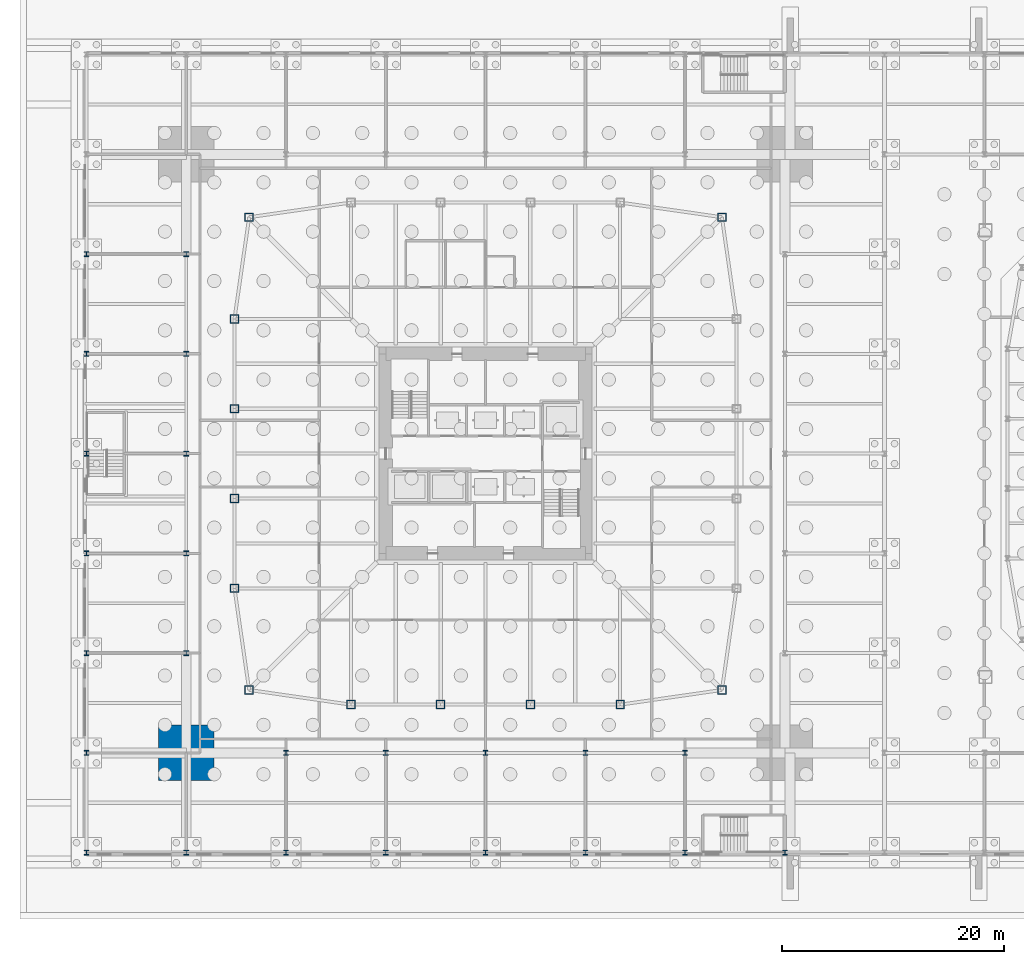
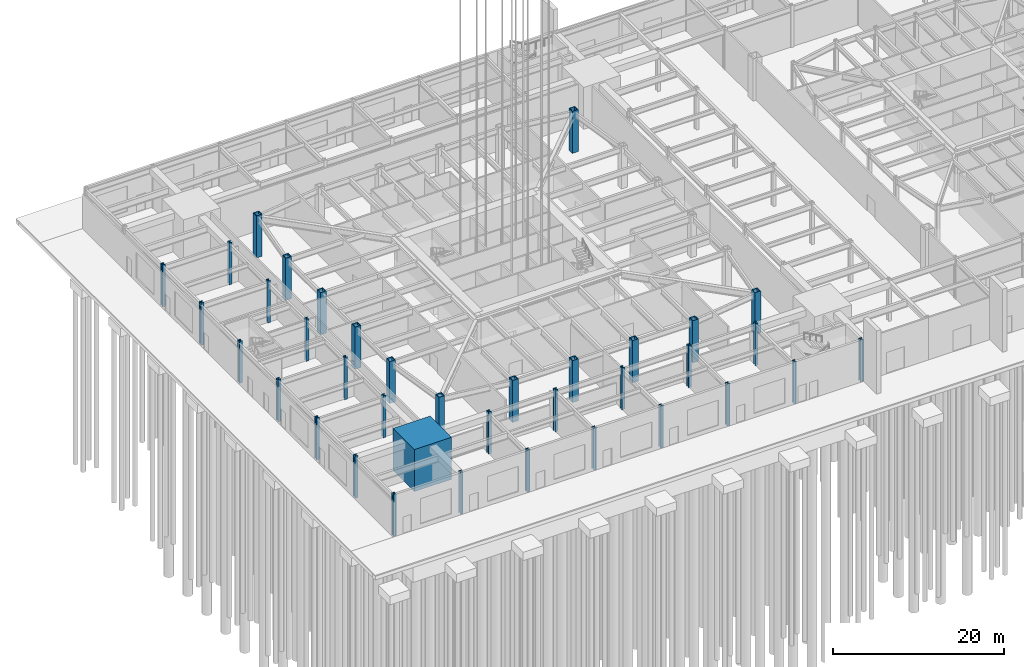
# One storey, part 5 of 37: 37 columns.
"""IFC4 building model written with IfcOpenShell, lengths in metres."""

import ifcopenshell
import ifcopenshell.guid

model = None  # the IFC model being written
_history = None  # IfcOwnerHistory: only IFC2X3 demands one
_inside = {}  # id of a spatial element -> (the spatial element, [elements in it])
_under = {}  # id of a project, library or spatial element -> (it, [spatial elements below it])
_declared = {}  # id of a project -> (the project, [libraries it declares])
_typed = {}  # id of a type object -> (the type object, [elements of that type])
_made_of = {}  # id of a material, layer set ... -> (it, [elements and type objects made of it])


def new_model(schema):
    """Start an empty IFC model of exactly this schema.

    Asked for "IFC4X3", IfcOpenShell would pick the latest addendum, in which some entities
    have other attributes; the version numbers below select the first issue.
    IFC2X3 requires an IfcOwnerHistory on every rooted entity: one is made here for all.
    """
    global model, _history
    if schema == "IFC4X3":
        model = ifcopenshell.file(schema_version=(4, 3, 0, 0))
    else:
        model = ifcopenshell.file(schema=schema)
    _inside.clear()
    _under.clear()
    _declared.clear()
    _typed.clear()
    _made_of.clear()
    _history = None
    if model.schema == "IFC2X3":
        org = make("IfcOrganization", Name="unknown")
        user = make(
            "IfcPersonAndOrganization",
            ThePerson=make("IfcPerson", FamilyName="unknown"),
            TheOrganization=org,
        )
        app = make(
            "IfcApplication",
            ApplicationDeveloper=org,
            Version="unknown",
            ApplicationFullName="unknown",
            ApplicationIdentifier="unknown",
        )
        _history = make(
            "IfcOwnerHistory",
            OwningUser=user,
            OwningApplication=app,
            ChangeAction="ADDED",
            CreationDate=0,
        )
    return model


def make(cls, **values):
    """One entity of the class cls with the attributes given. An attribute that is None is left unset."""
    return model.create_entity(
        cls, **{name: value for name, value in values.items() if value is not None}
    )


def rooted(cls, **values):
    """An entity with a GlobalId (a new one), such as an element, a storey or a relation."""
    return make(cls, GlobalId=ifcopenshell.guid.new(), OwnerHistory=_history, **values)


def si_unit(unit_type, name, prefix=None):
    """IfcSIUnit, for example si_unit("LENGTHUNIT", "METRE", prefix="MILLI")."""
    return make("IfcSIUnit", UnitType=unit_type, Prefix=prefix, Name=name)


def assignment(units):
    """IfcUnitAssignment: the units of a project."""
    return None if units is None else make("IfcUnitAssignment", Units=units)


def point(xyz):
    """IfcCartesianPoint."""
    return None if xyz is None else make("IfcCartesianPoint", Coordinates=xyz)


def direction(xyz):
    """IfcDirection."""
    return None if xyz is None else make("IfcDirection", DirectionRatios=xyz)


def frame(location, z_axis=None, x_axis=None):
    """IfcAxis2Placement3D, a coordinate frame: its origin and axes. An axis left out is left unset."""
    return make(
        "IfcAxis2Placement3D",
        Location=point(location),
        Axis=direction(z_axis),
        RefDirection=direction(x_axis),
    )


def frame_2d(location, x_axis=None):
    """IfcAxis2Placement2D, a coordinate frame in the plane: its origin and x axis."""
    return make(
        "IfcAxis2Placement2D", Location=point(location), RefDirection=direction(x_axis)
    )


def origin():
    """The frame at (0, 0, 0) with its axes left unset."""
    return frame((0.0, 0.0, 0.0))


def origin_2d():
    """The frame at (0, 0) in the plane with its x axis left unset."""
    return frame_2d((0.0, 0.0))


def place(relative_to, where):
    """IfcLocalPlacement: puts the frame where relative to a parent placement (None: the world)."""
    return make(
        "IfcLocalPlacement", PlacementRelTo=relative_to, RelativePlacement=where
    )


def context(
    kind, dimensions, precision=None, world=None, true_north=None, identifier=None
):
    """IfcGeometricRepresentationContext, for example the 3D "Model" context."""
    return make(
        "IfcGeometricRepresentationContext",
        ContextIdentifier=identifier,
        ContextType=kind,
        CoordinateSpaceDimension=dimensions,
        Precision=precision,
        WorldCoordinateSystem=world,
        TrueNorth=true_north,
    )


def subcontext(parent, identifier, kind, view, scale=None):
    """IfcGeometricRepresentationSubContext, for example "Body" below "Model"."""
    return make(
        "IfcGeometricRepresentationSubContext",
        ContextIdentifier=identifier,
        ContextType=kind,
        ParentContext=parent,
        TargetScale=scale,
        TargetView=view,
    )


def project(units=None, contexts=None):
    """IfcProject with its units and contexts."""
    return rooted(
        "IfcProject",
        Name="project",
        RepresentationContexts=contexts,
        UnitsInContext=assignment(units),
    )


def spatial(cls, under=None, at=None, **own):
    """A site, building, storey or space (cls), placed at a placement, below another one or the project."""
    s = rooted(cls, ObjectPlacement=at, **own)
    if under is not None:
        _under.setdefault(under.id(), (under, []))[1].append(s)
    return s


def profile(cls, at=None, kind="AREA", **sizes):
    """A parametric profile (cls). Its sizes go by their IFC names, for example OverallWidth=200.0."""
    return make(cls, ProfileType=kind, Position=at, **sizes)


def rectangle(**sizes):
    """IfcRectangleProfileDef."""
    return profile("IfcRectangleProfileDef", **sizes)


def hollow_rectangle(**sizes):
    """IfcRectangleHollowProfileDef."""
    return profile("IfcRectangleHollowProfileDef", **sizes)


def i_section(**sizes):
    """IfcIShapeProfileDef."""
    return profile("IfcIShapeProfileDef", **sizes)


def extrude(swept, where, along, depth):
    """IfcExtrudedAreaSolid: the profile swept, set in the frame where, extruded along a direction by depth."""
    return make(
        "IfcExtrudedAreaSolid",
        SweptArea=swept,
        Position=where,
        ExtrudedDirection=direction(along),
        Depth=depth,
    )


def shape(context_of_items, identifier, shape_type, items):
    """IfcShapeRepresentation: the items that make up one representation, for example the "Body"."""
    return make(
        "IfcShapeRepresentation",
        ContextOfItems=context_of_items,
        RepresentationIdentifier=identifier,
        RepresentationType=shape_type,
        Items=items,
    )


def material(Name=None, Category=None):
    """IfcMaterial."""
    return make("IfcMaterial", Name=Name, Category=Category)


def material_profile(
    of_material, cross_section, Name=None, Category=None, Priority=None
):
    """IfcMaterialProfile: a cross section and its material."""
    return make(
        "IfcMaterialProfile",
        Name=Name,
        Material=of_material,
        Profile=cross_section,
        Priority=Priority,
        Category=Category,
    )


def profile_set(profiles, Name=None, composite=None):
    """IfcMaterialProfileSet."""
    return make(
        "IfcMaterialProfileSet",
        Name=Name,
        MaterialProfiles=profiles,
        CompositeProfile=composite,
    )


def made_of(thing, what):
    """Note that an element or type object is made of a material, layer set ...; save() writes the relation."""
    if what is not None:
        _made_of.setdefault(what.id(), (what, []))[1].append(thing)
    return thing


def type_object(cls, material=None, **own):
    """A type object (cls), such as IfcWallType, which elements share."""
    return made_of(rooted(cls, **own), material)


def element(
    cls,
    number,
    at=None,
    inside=None,
    cuts=None,
    type_object=None,
    material=None,
    context=None,
    identifier="Body",
    shape_type=None,
    held_by="IfcProductDefinitionShape",
    body=None,
    shapes=None,
    **own,
):
    """One element of the class cls, such as IfcWall. Its Tag is "e" and its number.

    at: its placement. inside: the storey or other place that contains it. cuts: it is an
    opening in that element (IfcRelVoidsElement). A single representation is given by context,
    identifier, shape_type and body (its items); several are given by shapes. held_by: the class
    of the entity that holds the representations. save() writes the other relations.
    """
    e = rooted(cls, Tag="e%d" % number, ObjectPlacement=at, **own)
    if body is not None:
        shapes = [shape(context, identifier, shape_type, body)]
    if shapes is not None:
        e.Representation = make(held_by, Representations=shapes)
    if inside is not None:
        _inside.setdefault(inside.id(), (inside, []))[1].append(e)
    if cuts is not None:
        rooted(
            "IfcRelVoidsElement", RelatingBuildingElement=cuts, RelatedOpeningElement=e
        )
    if type_object is not None:
        _typed.setdefault(type_object.id(), (type_object, []))[1].append(e)
    return made_of(e, material)


def aggregate(whole, parts):
    """IfcRelAggregates: a whole, such as a stair, and the parts it consists of."""
    return rooted("IfcRelAggregates", RelatingObject=whole, RelatedObjects=parts)


def save(model, path):
    """Write the relations noted so far, then the file.

    IfcRelAggregates (storeys below a building ...), IfcRelContainedInSpatialStructure (elements
    in a storey), IfcRelDefinesByType, IfcRelAssociatesMaterial and IfcRelDeclares: one each for
    every whole, place, type object, material and project.
    """
    for whole, parts in _under.values():
        aggregate(whole, parts)
    for where, things in _inside.values():
        rooted(
            "IfcRelContainedInSpatialStructure",
            RelatedElements=things,
            RelatingStructure=where,
        )
    for kind, things in _typed.values():
        rooted("IfcRelDefinesByType", RelatedObjects=things, RelatingType=kind)
    for what, things in _made_of.values():
        rooted("IfcRelAssociatesMaterial", RelatedObjects=things, RelatingMaterial=what)
    for by, libraries in _declared.values():
        rooted("IfcRelDeclares", RelatingContext=by, RelatedDefinitions=libraries)
    model.write(path)


model = new_model("IFC4")

# Units and contexts
model_context = context("Model", 3, precision=1e-05, world=origin(), true_north=direction((0.0, 1.0)))
body_context = subcontext(model_context, "Body", "Model", "MODEL_VIEW")
ifc_project = project(units=[si_unit("LENGTHUNIT", "METRE"), si_unit("AREAUNIT", "SQUARE_METRE"), si_unit("VOLUMEUNIT", "CUBIC_METRE"), si_unit("PLANEANGLEUNIT", "RADIAN"), si_unit("MASSUNIT", "GRAM", prefix="KILO")], contexts=[model_context])

# Site, building, storey
site_placement = place(None, origin())
site = spatial("IfcSite", under=ifc_project, at=site_placement, CompositionType="ELEMENT")
building_placement = place(site_placement, origin())
building = spatial("IfcBuilding", under=site, at=building_placement, Name="Iwan Alto Co-Living Towers", CompositionType="ELEMENT")
storey_placement = place(building_placement, origin())
storey = spatial("IfcBuildingStorey", under=building, at=storey_placement, Name="L00", CompositionType="ELEMENT", Elevation=0.0)

# Columns
ifc_material_1 = material(Name="Steel ASTM A992 Gr 50", Category="steel")
ifc_material_profile_1 = material_profile(ifc_material_1, i_section(OverallWidth=0.411376953125, OverallDepth=0.434326171875, WebThickness=0.035888671875, FlangeThickness=0.057373046875, at=origin_2d()), Name="W14X311")
ifc_profile_set_1 = profile_set([ifc_material_profile_1], Name="Steel ASTM A992 Gr 50")
column_type_1 = type_object("IfcColumnType", Name="PODIUM COLUMN W14X311", PredefinedType="COLUMN", material=ifc_profile_set_1)
for number, where, z_axis, x_axis, name in (
    (1, (-36.0, -36.0, 0.0), (0.0, 0.0, 1.0), (1.0, 0.0, 0.0), "Podium column 1/A L00"),
    (2, (-36.0, -27.0, 0.0), (0.0, 0.0, 1.0), (1.0, 0.0, 0.0), "Podium column 1/B L00"),
    (3, (-36.0, -18.0, 0.0), (0.0, 0.0, 1.0), (1.0, 0.0, 0.0), "Podium column 1/C L00"),
    (4, (-36.0, -9.0, 0.0), (0.0, 0.0, 1.0), (1.0, 0.0, 0.0), "Podium column 1/D L00"),
    (5, (-36.0, 0.0, 0.0), (0.0, 0.0, 1.0), (1.0, 0.0, 0.0), "Podium column 1/E L00"),
    (6, (-36.0, 9.0, 0.0), (0.0, 0.0, 1.0), (1.0, 0.0, 0.0), "Podium column 1/F L00"),
    (7, (-36.0, 18.0, 0.0), (0.0, 0.0, 1.0), (1.0, 0.0, 0.0), "Podium column 1/G L00"),
    (8, (-27.0, -36.0, 0.0), (0.0, 0.0, 1.0), (1.0, 0.0, 0.0), "Podium column 2/A L00"),
    (9, (-27.0, -18.0, 0.0), (0.0, 0.0, 1.0), (1.0, 0.0, 0.0), "Podium column 2/C L00"),
    (10, (-27.0, -9.0, 0.0), (0.0, 0.0, 1.0), (1.0, 0.0, 0.0), "Podium column 2/D L00"),
    (11, (-27.0, 0.0, 0.0), (0.0, 0.0, 1.0), (1.0, 0.0, 0.0), "Podium column 2/E L00"),
    (12, (-27.0, 9.0, 0.0), (0.0, 0.0, 1.0), (1.0, 0.0, 0.0), "Podium column 2/F L00"),
    (13, (-27.0, 18.0, 0.0), (0.0, 0.0, 1.0), (1.0, 0.0, 0.0), "Podium column 2/G L00"),
    (14, (-18.0, -36.0, 0.0), (0.0, 0.0, 1.0), (1.0, 0.0, 0.0), "Podium column 3/A L00"),
    (15, (-18.0, -27.0, 0.0), (0.0, 0.0, 1.0), (1.0, 0.0, 0.0), "Podium column 3/B L00"),
    (16, (-9.0, -36.0, 0.0), (0.0, 0.0, 1.0), (1.0, 0.0, 0.0), "Podium column 4/A L00"),
    (17, (-9.0, -27.0, 0.0), (0.0, 0.0, 1.0), (1.0, 0.0, 0.0), "Podium column 4/B L00"),
    (18, (0.0, -36.0, 0.0), (0.0, 0.0, 1.0), (1.0, 0.0, 0.0), "Podium column 5/A L00"),
    (19, (0.0, -27.0, 0.0), (0.0, 0.0, 1.0), (1.0, 0.0, 0.0), "Podium column 5/B L00"),
    (20, (9.0, -36.0, 0.0), (0.0, 0.0, 1.0), (1.0, 0.0, 0.0), "Podium column 6/A L00"),
    (21, (9.0, -27.0, 0.0), (0.0, 0.0, 1.0), (1.0, 0.0, 0.0), "Podium column 6/B L00"),
    (22, (18.0, -36.0, 0.0), (0.0, 0.0, 1.0), (1.0, 0.0, 0.0), "Podium column 7/A L00"),
    (23, (18.0, -27.0, 0.0), (0.0, 0.0, 1.0), (1.0, 0.0, 0.0), "Podium column 7/B L00"),
    (24, (27.0, -36.0, 0.0), (0.0, 0.0, 1.0), (1.0, 0.0, 0.0), "Podium column 8/A L00"),
):
    element("IfcColumn", number, at=place(storey_placement, frame(where, z_axis=z_axis, x_axis=x_axis)), inside=storey, type_object=column_type_1, Name=name, PredefinedType="COLUMN", context=body_context, shape_type="SweptSolid", body=[
        extrude(i_section(OverallWidth=0.411376953125, OverallDepth=0.434326171875, WebThickness=0.035888671875, FlangeThickness=0.057373046875, at=origin_2d()), origin(), (0.0, 0.0, 1.0), 6.0),
    ])
ifc_material_2 = material(Name="Concrete f'c 70 MPa", Category="concrete")
ifc_material_profile_2 = material_profile(ifc_material_2, rectangle(XDim=5.0, YDim=5.0, at=origin_2d()), Name="RC 5000X5000")
ifc_profile_set_2 = profile_set([ifc_material_profile_2], Name="Concrete f'c 70 MPa")
column_type_2 = type_object("IfcColumnType", Name="T1 MEGA COLUMN RC 5000X5000", PredefinedType="COLUMN", material=ifc_profile_set_2)
column_placement = place(storey_placement, frame((-27.0, -27.0, 0.0), z_axis=(0.0, 0.0, 1.0), x_axis=(1.0, 0.0, 0.0)))
element("IfcColumn", 25, at=column_placement, inside=storey, type_object=column_type_2, Name="T1 mega column SW L00", PredefinedType="COLUMN", context=body_context, shape_type="SweptSolid", body=[
    extrude(rectangle(XDim=5.0, YDim=5.0, at=origin_2d()), origin(), (0.0, 0.0, 1.0), 6.0),
    extrude(i_section(OverallWidth=0.4775390625, OverallDepth=0.599365234375, WebThickness=0.10009765625, FlangeThickness=0.139892578125, at=origin_2d()), origin(), (0.0, 0.0, 1.0), 6.0),
])
ifc_material_3 = material(Name="Steel ASTM A572 Gr 50", Category="steel")
ifc_material_profile_3 = material_profile(ifc_material_3, hollow_rectangle(XDim=0.800048828125, YDim=0.800048828125, WallThickness=0.090087890625, at=origin_2d()), Name="BOX 800X800X90")
ifc_profile_set_3 = profile_set([ifc_material_profile_3], Name="Steel ASTM A572 Gr 50")
column_type_3 = type_object("IfcColumnType", Name="T1 RING COLUMN BOX 800X800X90", PredefinedType="COLUMN", material=ifc_profile_set_3)
for number, where, z_axis, x_axis, name in (
    (26, (-21.32568359375, -21.32568359375, 0.0), (0.0, 0.0, 1.0), (1.0, 0.0, 0.0), "T1 ring column CSW L00"),
    (27, (-12.14990234375, -22.64990234375, 0.0), (0.0, 0.0, 1.0), (1.0, 0.0, 0.0), "T1 ring column S1 L00"),
    (28, (-4.050048828125, -22.64990234375, 0.0), (0.0, 0.0, 1.0), (1.0, 0.0, 0.0), "T1 ring column S2 L00"),
    (29, (4.050048828125, -22.64990234375, 0.0), (0.0, 0.0, 1.0), (1.0, 0.0, 0.0), "T1 ring column S3 L00"),
    (30, (12.14990234375, -22.64990234375, 0.0), (0.0, 0.0, 1.0), (1.0, 0.0, 0.0), "T1 ring column S4 L00"),
    (31, (21.32568359375, -21.32568359375, 0.0), (0.0, 0.0, 1.0), (1.0, 0.0, 0.0), "T1 ring column CSE L00"),
    (32, (21.32568359375, 21.32568359375, 0.0), (0.0, 0.0, 1.0), (1.0, 0.0, 0.0), "T1 ring column CNE L00"),
    (33, (-21.32568359375, 21.32568359375, 0.0), (0.0, 0.0, 1.0), (1.0, 0.0, 0.0), "T1 ring column CNW L00"),
    (34, (-22.64990234375, 12.14990234375, 0.0), (0.0, 0.0, 1.0), (1.0, 0.0, 0.0), "T1 ring column W1 L00"),
    (35, (-22.64990234375, 4.050048828125, 0.0), (0.0, 0.0, 1.0), (1.0, 0.0, 0.0), "T1 ring column W2 L00"),
    (36, (-22.64990234375, -4.050048828125, 0.0), (0.0, 0.0, 1.0), (1.0, 0.0, 0.0), "T1 ring column W3 L00"),
    (37, (-22.64990234375, -12.14990234375, 0.0), (0.0, 0.0, 1.0), (1.0, 0.0, 0.0), "T1 ring column W4 L00"),
):
    element("IfcColumn", number, at=place(storey_placement, frame(where, z_axis=z_axis, x_axis=x_axis)), inside=storey, type_object=column_type_3, Name=name, PredefinedType="COLUMN", context=body_context, shape_type="SweptSolid", body=[
        extrude(hollow_rectangle(XDim=0.800048828125, YDim=0.800048828125, WallThickness=0.090087890625, at=origin_2d()), origin(), (0.0, 0.0, 1.0), 6.0),
    ])

save(model, "model.ifc")
